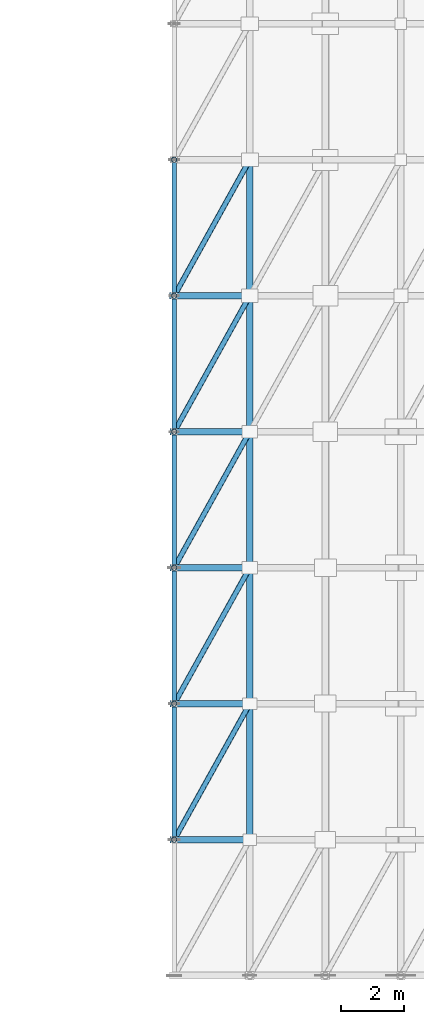
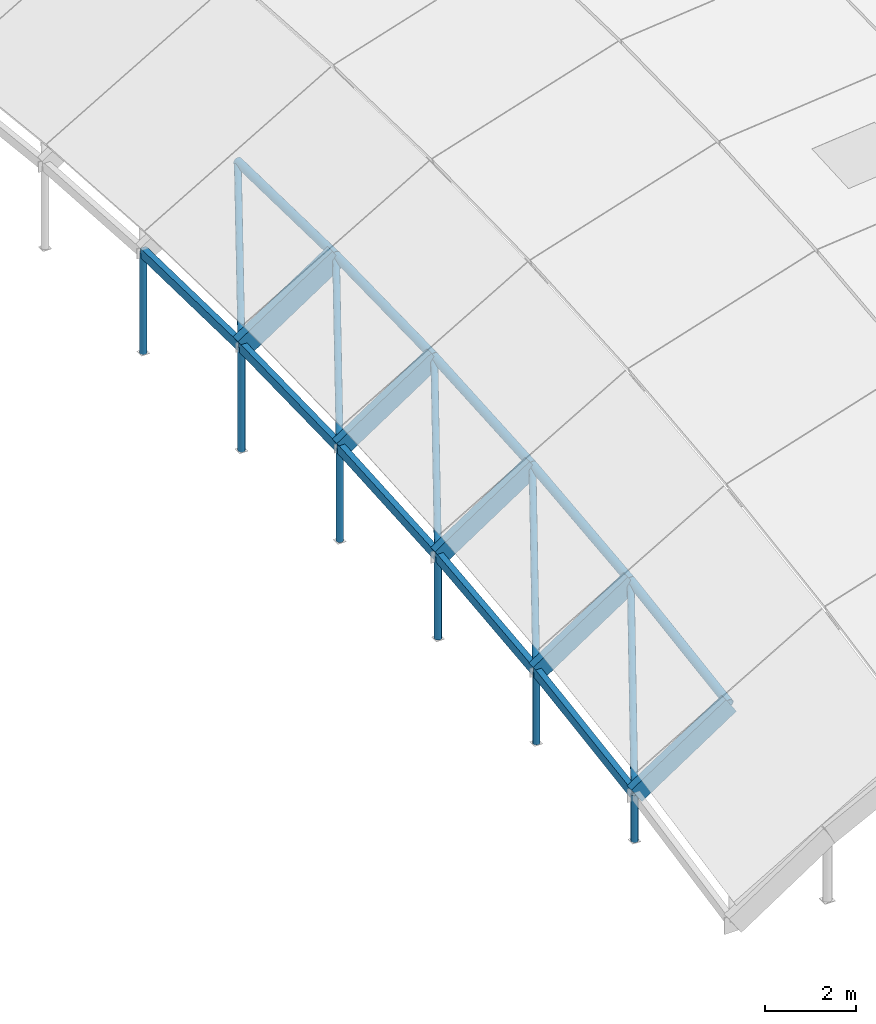
# One storey, part 10 of 35: 26 members.
"""IFC4 building model written with IfcOpenShell, lengths in metres."""

from ifc_helpers import new_model, si_unit, direction, frame, origin, origin_2d, place, context, subcontext, project, spatial, rectangle, hollow_rectangle, hollow_circle, extrude, material, material_profile, profile_set, type_object, element, save


model = new_model("IFC4")

# Units and contexts
model_context = context("Model", 3, precision=1e-05, world=origin(), true_north=direction((0.0, 1.0)))
body_context = subcontext(model_context, "Body", "Model", "MODEL_VIEW")
ifc_project = project(units=[si_unit("LENGTHUNIT", "METRE"), si_unit("AREAUNIT", "SQUARE_METRE"), si_unit("VOLUMEUNIT", "CUBIC_METRE"), si_unit("PLANEANGLEUNIT", "RADIAN"), si_unit("MASSUNIT", "GRAM", prefix="KILO")], contexts=[model_context])

# Site, building, storey
site_placement = place(None, origin())
site = spatial("IfcSite", under=ifc_project, at=site_placement, CompositionType="ELEMENT")
building_placement = place(site_placement, origin())
building = spatial("IfcBuilding", under=site, at=building_placement, Name="Zarrinpeak Specialist Clinic", CompositionType="ELEMENT")
storey_placement = place(building_placement, frame((0.0, 0.0, 31.60009765625)))
storey = spatial("IfcBuildingStorey", under=building, at=storey_placement, Name="RF", CompositionType="ELEMENT", Elevation=31.60009765625)

# Members
ifc_material_1 = material(Name="Steel S355", Category="steel")
ifc_material_profile_1 = material_profile(ifc_material_1, hollow_circle(Radius=0.084228515625, WallThickness=0.008056640625, at=origin_2d()), Name="CHS 168.3x8.0")
ifc_profile_set_1 = profile_set([ifc_material_profile_1], Name="Steel S355")
member_type_1 = type_object("IfcMemberType", Name="MB-BR168", PredefinedType="BRACE", material=ifc_profile_set_1)
member_1_placement = place(storey_placement, frame((93.60009765625, 33.1201171875, -16.736083984375), z_axis=(0.441763361189, 0.795174050139, 0.415383392418), x_axis=(-0.874157276122, 0.485642931179, 0.0)))
element("IfcMember", 1, at=member_1_placement, inside=storey, type_object=member_type_1, Name="V3 Gridshell Diagonal Brace GS-DIAG-002", PredefinedType="BRACE", context=body_context, shape_type="SweptSolid", body=[
    extrude(hollow_circle(Radius=0.084228515625, WallThickness=0.008056640625, at=origin_2d()), origin(), (0.0, 0.0, 1.0), 5.4326171875),
])
member_2_placement = place(storey_placement, frame((93.60009765625, 37.43994140625, -16.064208984375), z_axis=(0.448087039807, 0.806602255279, 0.385500721836), x_axis=(-0.874168927292, 0.485621958479, 0.0)))
element("IfcMember", 2, at=member_2_placement, inside=storey, type_object=member_type_1, Name="V3 Gridshell Diagonal Brace GS-DIAG-003", PredefinedType="BRACE", context=body_context, shape_type="SweptSolid", body=[
    extrude(hollow_circle(Radius=0.084228515625, WallThickness=0.008056640625, at=origin_2d()), origin(), (0.0, 0.0, 1.0), 5.35595703125),
])
member_3_placement = place(storey_placement, frame((93.60009765625, 41.760009765625, -15.583984375), z_axis=(0.454115050454, 0.81745328767, 0.354329851168), x_axis=(-0.874168927292, 0.485621958479, 0.0)))
element("IfcMember", 3, at=member_3_placement, inside=storey, type_object=member_type_1, Name="V3 Gridshell Diagonal Brace GS-DIAG-004", PredefinedType="BRACE", context=body_context, shape_type="SweptSolid", body=[
    extrude(hollow_circle(Radius=0.084228515625, WallThickness=0.008056640625, at=origin_2d()), origin(), (0.0, 0.0, 1.0), 5.28466796875),
])
member_4_placement = place(storey_placement, frame((93.60009765625, 46.080078125, -15.296142578125), z_axis=(0.459779719738, 0.827603495528, 0.321986123161), x_axis=(-0.874157276122, 0.485642931179, 0.0)))
element("IfcMember", 4, at=member_4_placement, inside=storey, type_object=member_type_1, Name="V3 Gridshell Diagonal Brace GS-DIAG-005", PredefinedType="BRACE", context=body_context, shape_type="SweptSolid", body=[
    extrude(hollow_circle(Radius=0.084228515625, WallThickness=0.008056640625, at=origin_2d()), origin(), (0.0, 0.0, 1.0), 5.2197265625),
])
member_5_placement = place(storey_placement, frame((93.60009765625, 50.39990234375, -15.2001953125), z_axis=(0.464980740367, 0.837012634873, 0.288448886547), x_axis=(-0.874168927292, 0.485621958479, 0.0)))
element("IfcMember", 5, at=member_5_placement, inside=storey, type_object=member_type_1, Name="V3 Gridshell Diagonal Brace GS-DIAG-006", PredefinedType="BRACE", context=body_context, shape_type="SweptSolid", body=[
    extrude(hollow_circle(Radius=0.084228515625, WallThickness=0.008056640625, at=origin_2d()), origin(), (0.0, 0.0, 1.0), 5.161376953125),
])
ifc_material_profile_2 = material_profile(ifc_material_1, hollow_circle(Radius=0.109619140625, WallThickness=0.010009765625, at=origin_2d()), Name="CHS 219.1x10.0")
ifc_profile_set_2 = profile_set([ifc_material_profile_2], Name="Steel S355")
member_type_2 = type_object("IfcMemberType", Name="MB-GS-CH219", PredefinedType="USERDEFINED", material=ifc_profile_set_2)
member_6_placement = place(storey_placement, frame((96.0, 33.1201171875, -15.151611328125), z_axis=(0.0, 0.988111379408, 0.153739721234), x_axis=(-1.0, 0.0, 0.0)))
element("IfcMember", 6, at=member_6_placement, inside=storey, type_object=member_type_2, Name="V3 Translational Gridshell Vault Steel Chord I01-J01", ObjectType="ARCH_SEGMENT", PredefinedType="USERDEFINED", context=body_context, shape_type="SweptSolid", body=[
    extrude(hollow_circle(Radius=0.109619140625, WallThickness=0.010009765625, at=origin_2d()), origin(), (0.0, 0.0, 1.0), 4.371826171875),
])
member_7_placement = place(storey_placement, frame((96.0, 37.43994140625, -14.4794921875), z_axis=(0.0, 0.993884419624, 0.110425361344), x_axis=(-1.0, 0.0, 0.0)))
element("IfcMember", 7, at=member_7_placement, inside=storey, type_object=member_type_2, Name="V3 Translational Gridshell Vault Steel Chord I01-J02", ObjectType="ARCH_SEGMENT", PredefinedType="USERDEFINED", context=body_context, shape_type="SweptSolid", body=[
    extrude(hollow_circle(Radius=0.109619140625, WallThickness=0.010009765625, at=origin_2d()), origin(), (0.0, 0.0, 1.0), 4.3466796875),
])
member_8_placement = place(storey_placement, frame((96.0, 41.760009765625, -13.99951171875), z_axis=(0.0, 0.997783910161, 0.066537723311), x_axis=(-1.0, 0.0, 0.0)))
element("IfcMember", 8, at=member_8_placement, inside=storey, type_object=member_type_2, Name="V3 Translational Gridshell Vault Steel Chord I01-J03", ObjectType="ARCH_SEGMENT", PredefinedType="USERDEFINED", context=body_context, shape_type="SweptSolid", body=[
    extrude(hollow_circle(Radius=0.109619140625, WallThickness=0.010009765625, at=origin_2d()), origin(), (0.0, 0.0, 1.0), 4.32958984375),
])
member_9_placement = place(storey_placement, frame((96.0, 46.080078125, -13.71142578125), z_axis=(0.0, 0.999753428766, 0.022205442382), x_axis=(-1.0, 0.0, 0.0)))
element("IfcMember", 9, at=member_9_placement, inside=storey, type_object=member_type_2, Name="V3 Translational Gridshell Vault Steel Chord I01-J04", ObjectType="ARCH_SEGMENT", PredefinedType="USERDEFINED", context=body_context, shape_type="SweptSolid", body=[
    extrude(hollow_circle(Radius=0.109619140625, WallThickness=0.010009765625, at=origin_2d()), origin(), (0.0, 0.0, 1.0), 4.32080078125),
])
member_10_placement = place(storey_placement, frame((96.0, 50.39990234375, -13.615478515625), z_axis=(0.0, 0.999753456624, -0.022204188101), x_axis=(-1.0, 0.0, 0.0)))
element("IfcMember", 10, at=member_10_placement, inside=storey, type_object=member_type_2, Name="V3 Translational Gridshell Vault Steel Chord I01-J05", ObjectType="ARCH_SEGMENT", PredefinedType="USERDEFINED", context=body_context, shape_type="SweptSolid", body=[
    extrude(hollow_circle(Radius=0.109619140625, WallThickness=0.010009765625, at=origin_2d()), origin(), (0.0, 0.0, 1.0), 4.321044921875),
])
ifc_material_2 = material(Name="Glulam GL28h", Category="wood")
ifc_material_profile_3 = material_profile(ifc_material_2, rectangle(XDim=0.199951171875, YDim=0.47998046875, at=origin_2d()), Name="GL28h 200x480")
ifc_profile_set_3 = profile_set([ifc_material_profile_3], Name="Glulam GL28h")
member_type_3 = type_object("IfcMemberType", Name="MB-GS-GL480", PredefinedType="USERDEFINED", material=ifc_profile_set_3)
member_11_placement = place(storey_placement, frame((93.60009765625, 33.1201171875, -16.736083984375), z_axis=(0.834523531014, 0.0, 0.550972300741), x_axis=(0.0, 1.0, 0.0)))
element("IfcMember", 11, at=member_11_placement, inside=storey, type_object=member_type_3, Name="V3 Translational Gridshell Vault Glulam Arch Rib J01-00", ObjectType="ARCH_SEGMENT", PredefinedType="USERDEFINED", context=body_context, shape_type="SweptSolid", body=[
    extrude(rectangle(XDim=0.199951171875, YDim=0.47998046875, at=origin_2d()), origin(), (0.0, 0.0, 1.0), 2.875732421875),
])
member_12_placement = place(storey_placement, frame((93.60009765625, 37.43994140625, -16.064208984375), z_axis=(0.834484495814, 0.0, 0.55103142038), x_axis=(0.0, 1.0, 0.0)))
element("IfcMember", 12, at=member_12_placement, inside=storey, type_object=member_type_3, Name="V3 Translational Gridshell Vault Glulam Arch Rib J02-00", ObjectType="ARCH_SEGMENT", PredefinedType="USERDEFINED", context=body_context, shape_type="SweptSolid", body=[
    extrude(rectangle(XDim=0.199951171875, YDim=0.47998046875, at=origin_2d()), origin(), (0.0, 0.0, 1.0), 2.8759765625),
])
member_13_placement = place(storey_placement, frame((93.60009765625, 41.760009765625, -15.583984375), z_axis=(0.834523531014, 0.0, 0.550972300741), x_axis=(0.0, 1.0, 0.0)))
element("IfcMember", 13, at=member_13_placement, inside=storey, type_object=member_type_3, Name="V3 Translational Gridshell Vault Glulam Arch Rib J03-00", ObjectType="ARCH_SEGMENT", PredefinedType="USERDEFINED", context=body_context, shape_type="SweptSolid", body=[
    extrude(rectangle(XDim=0.199951171875, YDim=0.47998046875, at=origin_2d()), origin(), (0.0, 0.0, 1.0), 2.875732421875),
])
member_14_placement = place(storey_placement, frame((93.60009765625, 46.080078125, -15.296142578125), z_axis=(0.834484495814, 0.0, 0.55103142038), x_axis=(0.0, 1.0, 0.0)))
element("IfcMember", 14, at=member_14_placement, inside=storey, type_object=member_type_3, Name="V3 Translational Gridshell Vault Glulam Arch Rib J04-00", ObjectType="ARCH_SEGMENT", PredefinedType="USERDEFINED", context=body_context, shape_type="SweptSolid", body=[
    extrude(rectangle(XDim=0.199951171875, YDim=0.47998046875, at=origin_2d()), origin(), (0.0, 0.0, 1.0), 2.8759765625),
])
ifc_material_profile_4 = material_profile(ifc_material_2, rectangle(XDim=0.219970703125, YDim=0.56005859375, at=origin_2d()), Name="GL28h 220x560")
ifc_profile_set_4 = profile_set([ifc_material_profile_4], Name="Glulam GL28h")
member_type_4 = type_object("IfcMemberType", Name="MB-GS-GL560", PredefinedType="USERDEFINED", material=ifc_profile_set_4)
member_15_placement = place(storey_placement, frame((93.60009765625, 50.39990234375, -15.2001953125), z_axis=(0.834484495814, 0.0, 0.55103142038), x_axis=(0.0, 1.0, 0.0)))
element("IfcMember", 15, at=member_15_placement, inside=storey, type_object=member_type_4, Name="V3 Translational Gridshell Vault Glulam Arch Rib J05-00", ObjectType="ARCH_SEGMENT", PredefinedType="USERDEFINED", context=body_context, shape_type="SweptSolid", body=[
    extrude(rectangle(XDim=0.219970703125, YDim=0.56005859375, at=origin_2d()), origin(), (0.0, 0.0, 1.0), 2.8759765625),
])
ifc_material_profile_5 = material_profile(ifc_material_1, hollow_rectangle(XDim=0.14990234375, YDim=0.25, WallThickness=0.010009765625, at=origin_2d()), Name="RHS 250x150x10.0")
ifc_profile_set_5 = profile_set([ifc_material_profile_5], Name="Steel S355")
member_type_5 = type_object("IfcMemberType", Name="MB-GS-RH250", PredefinedType="USERDEFINED", material=ifc_profile_set_5)
member_16_placement = place(storey_placement, frame((93.60009765625, 33.1201171875, -16.736083984375), z_axis=(0.0, 0.988119861414, 0.153685196033), x_axis=(-1.0, 0.0, 0.0)))
element("IfcMember", 16, at=member_16_placement, inside=storey, type_object=member_type_5, Name="V3 Translational Gridshell Vault Steel Chord I00-J01", ObjectType="ARCH_SEGMENT", PredefinedType="USERDEFINED", context=body_context, shape_type="SweptSolid", body=[
    extrude(hollow_rectangle(XDim=0.14990234375, YDim=0.25, WallThickness=0.010009765625, at=origin_2d()), origin(), (0.0, 0.0, 1.0), 4.371826171875),
])
member_17_placement = place(storey_placement, frame((93.60009765625, 37.43994140625, -16.064208984375), z_axis=(0.0, 0.993878253725, 0.110480843463), x_axis=(-1.0, 0.0, 0.0)))
element("IfcMember", 17, at=member_17_placement, inside=storey, type_object=member_type_5, Name="V3 Translational Gridshell Vault Steel Chord I00-J02", ObjectType="ARCH_SEGMENT", PredefinedType="USERDEFINED", context=body_context, shape_type="SweptSolid", body=[
    extrude(hollow_rectangle(XDim=0.14990234375, YDim=0.25, WallThickness=0.010009765625, at=origin_2d()), origin(), (0.0, 0.0, 1.0), 4.3466796875),
])
member_18_placement = place(storey_placement, frame((93.60009765625, 41.760009765625, -15.583984375), z_axis=(0.0, 0.997787652204, 0.066481584739), x_axis=(-1.0, 0.0, 0.0)))
element("IfcMember", 18, at=member_18_placement, inside=storey, type_object=member_type_5, Name="V3 Translational Gridshell Vault Steel Chord I00-J03", ObjectType="ARCH_SEGMENT", PredefinedType="USERDEFINED", context=body_context, shape_type="SweptSolid", body=[
    extrude(hollow_rectangle(XDim=0.14990234375, YDim=0.25, WallThickness=0.010009765625, at=origin_2d()), origin(), (0.0, 0.0, 1.0), 4.32958984375),
])
member_19_placement = place(storey_placement, frame((93.60009765625, 46.080078125, -15.296142578125), z_axis=(0.0, 0.999753428766, 0.022205442382), x_axis=(-1.0, 0.0, 0.0)))
element("IfcMember", 19, at=member_19_placement, inside=storey, type_object=member_type_5, Name="V3 Translational Gridshell Vault Steel Chord I00-J04", ObjectType="ARCH_SEGMENT", PredefinedType="USERDEFINED", context=body_context, shape_type="SweptSolid", body=[
    extrude(hollow_rectangle(XDim=0.14990234375, YDim=0.25, WallThickness=0.010009765625, at=origin_2d()), origin(), (0.0, 0.0, 1.0), 4.32080078125),
])
member_20_placement = place(storey_placement, frame((93.60009765625, 50.39990234375, -15.2001953125), z_axis=(0.0, 0.999753456624, -0.022204188101), x_axis=(-1.0, 0.0, 0.0)))
element("IfcMember", 20, at=member_20_placement, inside=storey, type_object=member_type_5, Name="V3 Translational Gridshell Vault Steel Chord I00-J05", ObjectType="ARCH_SEGMENT", PredefinedType="USERDEFINED", context=body_context, shape_type="SweptSolid", body=[
    extrude(hollow_rectangle(XDim=0.14990234375, YDim=0.25, WallThickness=0.010009765625, at=origin_2d()), origin(), (0.0, 0.0, 1.0), 4.321044921875),
])
ifc_material_profile_6 = material_profile(ifc_material_1, hollow_circle(Radius=0.084228515625, WallThickness=0.008056640625, at=origin_2d()), Name="CHS 168.3x8.0")
ifc_profile_set_6 = profile_set([ifc_material_profile_6], Name="Steel S355")
member_type_6 = type_object("IfcMemberType", Name="MB-PST168", PredefinedType="BRACE", material=ifc_profile_set_6)
member_21_placement = place(storey_placement, frame((93.60009765625, 33.1201171875, -18.0), z_axis=(0.0, 0.0, 1.0), x_axis=(1.0, 0.0, 0.0)))
element("IfcMember", 21, at=member_21_placement, inside=storey, type_object=member_type_6, Name="V3 Gridshell Edge Arch Post 0-1", PredefinedType="BRACE", context=body_context, shape_type="SweptSolid", body=[
    extrude(hollow_circle(Radius=0.084228515625, WallThickness=0.008056640625, at=origin_2d()), origin(), (0.0, 0.0, 1.0), 1.263916015625),
])
member_22_placement = place(storey_placement, frame((93.60009765625, 37.43994140625, -18.0), z_axis=(0.0, 0.0, 1.0), x_axis=(1.0, 0.0, 0.0)))
element("IfcMember", 22, at=member_22_placement, inside=storey, type_object=member_type_6, Name="V3 Gridshell Edge Arch Post 0-2", PredefinedType="BRACE", context=body_context, shape_type="SweptSolid", body=[
    extrude(hollow_circle(Radius=0.084228515625, WallThickness=0.008056640625, at=origin_2d()), origin(), (0.0, 0.0, 1.0), 1.935791015625),
])
member_23_placement = place(storey_placement, frame((93.60009765625, 41.760009765625, -17.800048828125), z_axis=(0.0, 0.0, 1.0), x_axis=(1.0, 0.0, 0.0)))
element("IfcMember", 23, at=member_23_placement, inside=storey, type_object=member_type_6, Name="V3 Gridshell Edge Arch Post 0-3", PredefinedType="BRACE", context=body_context, shape_type="SweptSolid", body=[
    extrude(hollow_circle(Radius=0.084228515625, WallThickness=0.008056640625, at=origin_2d()), origin(), (0.0, 0.0, 1.0), 2.216064453125),
])
member_24_placement = place(storey_placement, frame((93.60009765625, 46.080078125, -17.800048828125), z_axis=(0.0, 0.0, 1.0), x_axis=(1.0, 0.0, 0.0)))
element("IfcMember", 24, at=member_24_placement, inside=storey, type_object=member_type_6, Name="V3 Gridshell Edge Arch Post 0-4", PredefinedType="BRACE", context=body_context, shape_type="SweptSolid", body=[
    extrude(hollow_circle(Radius=0.084228515625, WallThickness=0.008056640625, at=origin_2d()), origin(), (0.0, 0.0, 1.0), 2.50390625),
])
member_25_placement = place(storey_placement, frame((93.60009765625, 50.39990234375, -18.0), z_axis=(0.0, 0.0, 1.0), x_axis=(1.0, 0.0, 0.0)))
element("IfcMember", 25, at=member_25_placement, inside=storey, type_object=member_type_6, Name="V3 Gridshell Edge Arch Post 0-5", PredefinedType="BRACE", context=body_context, shape_type="SweptSolid", body=[
    extrude(hollow_circle(Radius=0.084228515625, WallThickness=0.008056640625, at=origin_2d()), origin(), (0.0, 0.0, 1.0), 2.7998046875),
])
member_26_placement = place(storey_placement, frame((93.60009765625, 54.719970703125, -18.0), z_axis=(0.0, 0.0, 1.0), x_axis=(1.0, 0.0, 0.0)))
element("IfcMember", 26, at=member_26_placement, inside=storey, type_object=member_type_6, Name="V3 Gridshell Edge Arch Post 0-6", PredefinedType="BRACE", context=body_context, shape_type="SweptSolid", body=[
    extrude(hollow_circle(Radius=0.084228515625, WallThickness=0.008056640625, at=origin_2d()), origin(), (0.0, 0.0, 1.0), 2.703857421875),
])

save(model, "model.ifc")
